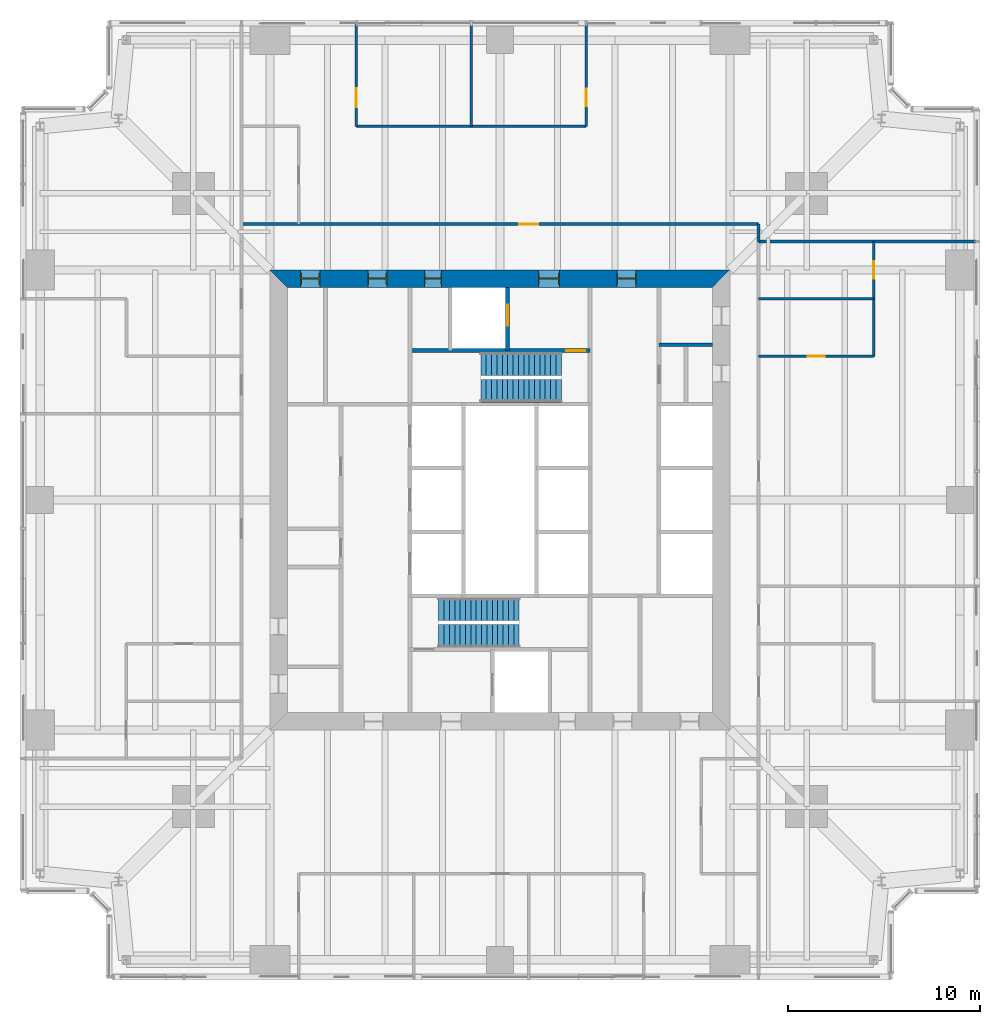
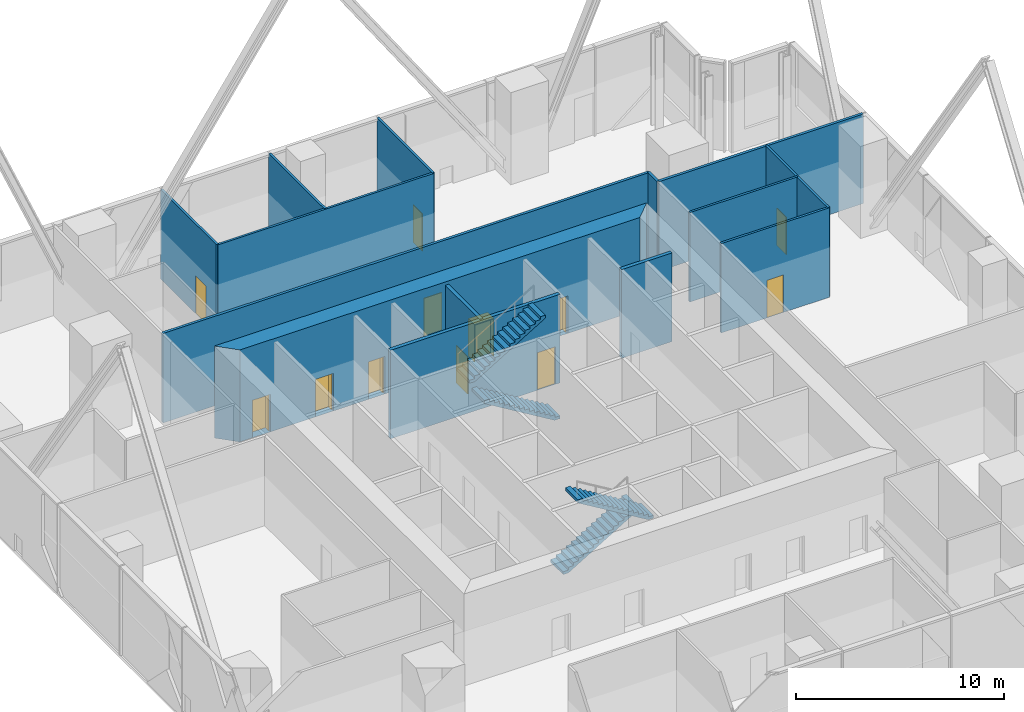
# One storey, part 11 of 13: 14 walls, 12 doors, 4 stair flights, 12 openings, 2 elements without a shape of their own.
"""IFC4 building model written with IfcOpenShell, lengths in metres."""

from ifc_helpers import new_model, si_unit, direction, frame, frame_2d, origin, place, context, subcontext, project, spatial, polyline, rectangle, outline, extrude, material, layer, layer_set, type_object, element, fill, aggregate, save


model = new_model("IFC4")

# Units and contexts
model_context = context("Model", 3, precision=1e-05, world=origin(), true_north=direction((0.0, 1.0)))
body_context = subcontext(model_context, "Body", "Model", "MODEL_VIEW")
ifc_project = project(units=[si_unit("LENGTHUNIT", "METRE"), si_unit("AREAUNIT", "SQUARE_METRE"), si_unit("VOLUMEUNIT", "CUBIC_METRE"), si_unit("PLANEANGLEUNIT", "RADIAN"), si_unit("MASSUNIT", "GRAM", prefix="KILO")], contexts=[model_context])

# Site, building, storey
site_placement = place(None, origin())
site = spatial("IfcSite", under=ifc_project, at=site_placement, CompositionType="ELEMENT")
building_placement = place(site_placement, origin())
building = spatial("IfcBuilding", under=site, at=building_placement, Name="Fenwick Lantern Interchange", CompositionType="ELEMENT")
storey_placement = place(building_placement, frame((0.0, 0.0, 97.0)))
storey = spatial("IfcBuildingStorey", under=building, at=storey_placement, Name="L22", CompositionType="ELEMENT", Elevation=97.0)

# Wall, opening, door
ifc_material_1 = material(Name="Concrete masonry ASTM C90 Grade N", Category="masonry")
ifc_layer_1 = layer(ifc_material_1, 0.199951171875)
ifc_layer_set_1 = layer_set([ifc_layer_1], Name="Concrete masonry ASTM C90 Grade N")
wall_type_1 = type_object("IfcWallType", Name="CORE PARTITION 200", PredefinedType="PARTITIONING", material=ifc_layer_set_1)
wall_1_placement = place(storey_placement, frame((25.39990234375, 36.10009765625, 0.0), z_axis=(0.0, 0.0, 1.0), x_axis=(0.0, -1.0, 0.0)))
wall_1 = element("IfcWall", 1, at=wall_1_placement, inside=storey, type_object=wall_type_1, Name="L22/W/COREN/h1", PredefinedType="PARTITIONING", context=body_context, shape_type="SweptSolid", body=[
    extrude(rectangle(XDim=3.300048828125, YDim=0.199951171875, at=frame_2d((1.64990234375, 0.0))), origin(), (0.0, 0.0, 1.0), 5.199951171875),
])
opening_1_placement = place(wall_1_placement, frame((0.89990234375, 0.0, 0.0)))
opening_1 = element("IfcOpeningElement", 2, at=opening_1_placement, cuts=wall_1, Name="Opening LD-FL2", PredefinedType="OPENING", context=body_context, shape_type="SweptSolid", body=[
    extrude(rectangle(XDim=1.10009765625, YDim=2.199951171875, at=frame_2d((0.550048828125, 1.10009765625))), frame((0.0, 0.10986328125, 0.0), z_axis=(0.0, -1.0, 0.0), x_axis=(1.0, 0.0, 0.0)), (0.0, 0.0, 1.0), 0.219970703125),
])
ifc_material_2 = material(Name="Steel door and frame", Category="steel")
door_type_1 = type_object("IfcDoorType", Name="LIFT LANDING DOOR 1100 X 2200", OperationType="DOUBLE_DOOR_SLIDING", PredefinedType="DOOR", material=ifc_material_2)
door_1_placement = place(opening_1_placement, origin())
door_1 = element("IfcDoor", 3, at=door_1_placement, inside=storey, type_object=door_type_1, Name="Lift landing door FL2", OperationType="DOUBLE_DOOR_SLIDING", OverallHeight=2.199951171875, OverallWidth=1.10009765625, PredefinedType="DOOR", context=body_context, shape_type="SweptSolid", body=[
    extrude(rectangle(XDim=1.10009765625, YDim=2.199951171875, at=frame_2d((0.550048828125, 1.10009765625))), frame((0.0, 0.02490234375, 0.0), z_axis=(0.0, -1.0, 0.0), x_axis=(1.0, 0.0, 0.0)), (0.0, 0.0, 1.0), 0.050048828125),
])
fill(opening_1, door_1)

# Wall
wall_2_placement = place(storey_placement, frame((36.10009765625, 33.10009765625, 0.0), z_axis=(0.0, 0.0, 1.0), x_axis=(-1.0, 0.0, 0.0)))
element("IfcWall", 4, at=wall_2_placement, inside=storey, type_object=wall_type_1, Name="L22/W/COREN/p1", PredefinedType="PARTITIONING", context=body_context, shape_type="SweptSolid", body=[
    extrude(rectangle(XDim=2.800048828125, YDim=0.199951171875, at=frame_2d((1.39990234375, 0.0))), origin(), (0.0, 0.0, 1.0), 5.199951171875),
])

# Wall, openings, doors
ifc_material_3 = material(Name="Concrete f'c 70 MPa", Category="concrete")
ifc_layer_2 = layer(ifc_material_3, 0.89990234375)
ifc_layer_set_2 = layer_set([ifc_layer_2], Name="CORE WALL 900")
wall_type_2 = type_object("IfcWallType", Name="CORE WALL 900", PredefinedType="SHEAR", material=ifc_layer_set_2)
wall_3_placement = place(storey_placement, frame((37.0, 36.550048828125, 0.0), z_axis=(0.0, 0.0, 1.0), x_axis=(-1.0, 0.0, 0.0)))
wall_3 = element("IfcWall", 5, at=wall_3_placement, inside=storey, type_object=wall_type_2, Name="L22/CORE/N", PredefinedType="SHEAR", context=body_context, shape_type="SweptSolid", body=[
    extrude(outline(polyline([(0.0, -0.449951171875), (24.0, -0.449951171875), (23.10009765625, 0.449951171875), (0.89990234375, 0.449951171875), (0.0, -0.449951171875)])), origin(), (0.0, 0.0, 1.0), 5.39990234375),
])
opening_2_placement = place(wall_3_placement, frame((4.89990234375, 0.0, 0.0)))
opening_2 = element("IfcOpeningElement", 6, at=opening_2_placement, cuts=wall_3, Name="Opening L22-D011", PredefinedType="OPENING", context=body_context, shape_type="SweptSolid", body=[
    extrude(rectangle(XDim=1.0, YDim=2.199951171875, at=frame_2d((0.5, 1.10009765625))), frame((0.0, 0.4599609375, 0.0), z_axis=(0.0, -1.0, 0.0), x_axis=(1.0, 0.0, 0.0)), (0.0, 0.0, 1.0), 0.919921875),
])
opening_3_placement = place(wall_3_placement, frame((8.89990234375, 0.0, 0.0)))
opening_3 = element("IfcOpeningElement", 7, at=opening_3_placement, cuts=wall_3, Name="Opening L22-D012", PredefinedType="OPENING", context=body_context, shape_type="SweptSolid", body=[
    extrude(rectangle(XDim=1.10009765625, YDim=2.199951171875, at=frame_2d((0.550048828125, 1.10009765625))), frame((0.0, 0.4599609375, 0.0), z_axis=(0.0, -1.0, 0.0), x_axis=(1.0, 0.0, 0.0)), (0.0, 0.0, 1.0), 0.919921875),
])
opening_4_placement = place(wall_3_placement, frame((15.050048828125, 0.0, 0.0)))
opening_4 = element("IfcOpeningElement", 8, at=opening_4_placement, cuts=wall_3, Name="Opening L22-D014", PredefinedType="OPENING", context=body_context, shape_type="SweptSolid", body=[
    extrude(rectangle(XDim=0.89990234375, YDim=2.199951171875, at=frame_2d((0.449951171875, 1.10009765625))), frame((0.0, 0.4599609375, 0.0), z_axis=(0.0, -1.0, 0.0), x_axis=(1.0, 0.0, 0.0)), (0.0, 0.0, 1.0), 0.919921875),
])
opening_5_placement = place(wall_3_placement, frame((17.89990234375, 0.0, 0.0)))
opening_5 = element("IfcOpeningElement", 9, at=opening_5_placement, cuts=wall_3, Name="Opening L22-D015", PredefinedType="OPENING", context=body_context, shape_type="SweptSolid", body=[
    extrude(rectangle(XDim=1.0, YDim=2.199951171875, at=frame_2d((0.5, 1.10009765625))), frame((0.0, 0.4599609375, 0.0), z_axis=(0.0, -1.0, 0.0), x_axis=(1.0, 0.0, 0.0)), (0.0, 0.0, 1.0), 0.919921875),
])
opening_6_placement = place(wall_3_placement, frame((21.39990234375, 0.0, 0.0)))
opening_6 = element("IfcOpeningElement", 10, at=opening_6_placement, cuts=wall_3, Name="Opening L22-D016", PredefinedType="OPENING", context=body_context, shape_type="SweptSolid", body=[
    extrude(rectangle(XDim=1.0, YDim=2.199951171875, at=frame_2d((0.5, 1.10009765625))), frame((0.0, 0.4599609375, 0.0), z_axis=(0.0, -1.0, 0.0), x_axis=(1.0, 0.0, 0.0)), (0.0, 0.0, 1.0), 0.919921875),
])
door_type_2 = type_object("IfcDoorType", Name="CORE LOBBY DOOR 1000 X 2200", OperationType="SINGLE_SWING_LEFT", PredefinedType="DOOR", material=ifc_material_2)
door_2_placement = place(opening_2_placement, origin())
door_2 = element("IfcDoor", 11, at=door_2_placement, inside=storey, type_object=door_type_2, Name="Core lobby door", OperationType="SINGLE_SWING_LEFT", OverallHeight=2.199951171875, OverallWidth=1.0, PredefinedType="DOOR", context=body_context, shape_type="SweptSolid", body=[
    extrude(rectangle(XDim=1.0, YDim=2.199951171875, at=frame_2d((0.5, 1.10009765625))), frame((0.0, 0.02490234375, 0.0), z_axis=(0.0, -1.0, 0.0), x_axis=(1.0, 0.0, 0.0)), (0.0, 0.0, 1.0), 0.050048828125),
    extrude(outline(polyline([(0.0, 0.0), (0.0400390625, 0.0), (0.0400390625, 2.159912109375), (0.9599609375, 2.159912109375), (0.9599609375, 0.0), (1.0, 0.0), (1.0, 2.199951171875), (0.0, 2.199951171875), (0.0, 0.0)])), frame((0.0, 0.300048828125, 0.0), z_axis=(0.0, -1.0, 0.0), x_axis=(1.0, 0.0, 0.0)), (0.0, 0.0, 1.0), 0.60009765625),
])
fill(opening_2, door_2)
door_type_3 = type_object("IfcDoorType", Name="FIRE LOBBY DOOR 1100 X 2200", OperationType="SINGLE_SWING_LEFT", PredefinedType="DOOR", material=ifc_material_2)
door_3_placement = place(opening_3_placement, origin())
door_3 = element("IfcDoor", 12, at=door_3_placement, inside=storey, type_object=door_type_3, Name="Fire lobby door", OperationType="SINGLE_SWING_LEFT", OverallHeight=2.199951171875, OverallWidth=1.10009765625, PredefinedType="DOOR", context=body_context, shape_type="SweptSolid", body=[
    extrude(rectangle(XDim=1.10009765625, YDim=2.199951171875, at=frame_2d((0.550048828125, 1.10009765625))), frame((0.0, 0.02490234375, 0.0), z_axis=(0.0, -1.0, 0.0), x_axis=(1.0, 0.0, 0.0)), (0.0, 0.0, 1.0), 0.050048828125),
    extrude(outline(polyline([(0.0, 0.0), (0.0400390625, 0.0), (0.0400390625, 2.159912109375), (1.06005859375, 2.159912109375), (1.06005859375, 0.0), (1.10009765625, 0.0), (1.10009765625, 2.199951171875), (0.0, 2.199951171875), (0.0, 0.0)])), frame((0.0, 0.300048828125, 0.0), z_axis=(0.0, -1.0, 0.0), x_axis=(1.0, 0.0, 0.0)), (0.0, 0.0, 1.0), 0.60009765625),
])
fill(opening_3, door_3)
door_type_4 = type_object("IfcDoorType", Name="SERVICE DOOR 900 X 2200", OperationType="SINGLE_SWING_LEFT", PredefinedType="DOOR", material=ifc_material_2)
door_4_placement = place(opening_4_placement, origin())
door_4 = element("IfcDoor", 13, at=door_4_placement, inside=storey, type_object=door_type_4, Name="Service door", OperationType="SINGLE_SWING_LEFT", OverallHeight=2.199951171875, OverallWidth=0.89990234375, PredefinedType="DOOR", context=body_context, shape_type="SweptSolid", body=[
    extrude(rectangle(XDim=0.89990234375, YDim=2.199951171875, at=frame_2d((0.449951171875, 1.10009765625))), frame((0.0, 0.02490234375, 0.0), z_axis=(0.0, -1.0, 0.0), x_axis=(1.0, 0.0, 0.0)), (0.0, 0.0, 1.0), 0.050048828125),
    extrude(outline(polyline([(0.0, 0.0), (0.0400390625, 0.0), (0.0400390625, 2.159912109375), (0.85986328125, 2.159912109375), (0.85986328125, 0.0), (0.89990234375, 0.0), (0.89990234375, 2.199951171875), (0.0, 2.199951171875), (0.0, 0.0)])), frame((0.0, 0.300048828125, 0.0), z_axis=(0.0, -1.0, 0.0), x_axis=(1.0, 0.0, 0.0)), (0.0, 0.0, 1.0), 0.60009765625),
])
fill(opening_4, door_4)
ifc_material_4 = material(Name="Hardwood door and steel frame", Category="steel")
door_type_5 = type_object("IfcDoorType", Name="WC DOOR 1000 X 2200", OperationType="SINGLE_SWING_LEFT", PredefinedType="DOOR", material=ifc_material_4)
door_5_placement = place(opening_5_placement, origin())
door_5 = element("IfcDoor", 14, at=door_5_placement, inside=storey, type_object=door_type_5, Name="Wc door", OperationType="SINGLE_SWING_LEFT", OverallHeight=2.199951171875, OverallWidth=1.0, PredefinedType="DOOR", context=body_context, shape_type="SweptSolid", body=[
    extrude(rectangle(XDim=1.0, YDim=2.199951171875, at=frame_2d((0.5, 1.10009765625))), frame((0.0, 0.02490234375, 0.0), z_axis=(0.0, -1.0, 0.0), x_axis=(1.0, 0.0, 0.0)), (0.0, 0.0, 1.0), 0.050048828125),
    extrude(outline(polyline([(0.0, 0.0), (0.0400390625, 0.0), (0.0400390625, 2.159912109375), (0.9599609375, 2.159912109375), (0.9599609375, 0.0), (1.0, 0.0), (1.0, 2.199951171875), (0.0, 2.199951171875), (0.0, 0.0)])), frame((0.0, 0.300048828125, 0.0), z_axis=(0.0, -1.0, 0.0), x_axis=(1.0, 0.0, 0.0)), (0.0, 0.0, 1.0), 0.60009765625),
])
fill(opening_5, door_5)
door_6_placement = place(opening_6_placement, origin())
door_6 = element("IfcDoor", 15, at=door_6_placement, inside=storey, type_object=door_type_5, Name="Wc door", OperationType="SINGLE_SWING_LEFT", OverallHeight=2.199951171875, OverallWidth=1.0, PredefinedType="DOOR", context=body_context, shape_type="SweptSolid", body=[
    extrude(rectangle(XDim=1.0, YDim=2.199951171875, at=frame_2d((0.5, 1.10009765625))), frame((0.0, 0.02490234375, 0.0), z_axis=(0.0, -1.0, 0.0), x_axis=(1.0, 0.0, 0.0)), (0.0, 0.0, 1.0), 0.050048828125),
    extrude(outline(polyline([(0.0, 0.0), (0.0400390625, 0.0), (0.0400390625, 2.159912109375), (0.9599609375, 2.159912109375), (0.9599609375, 0.0), (1.0, 0.0), (1.0, 2.199951171875), (0.0, 2.199951171875), (0.0, 0.0)])), frame((0.0, 0.300048828125, 0.0), z_axis=(0.0, -1.0, 0.0), x_axis=(1.0, 0.0, 0.0)), (0.0, 0.0, 1.0), 0.60009765625),
])
fill(opening_6, door_6)

# Wall
ifc_material_5 = material(Name="Gypsum board on steel studs, 1 hour", Category="steel")
ifc_layer_3 = layer(ifc_material_5, 0.14990234375)
ifc_layer_set_3 = layer_set([ifc_layer_3], Name="CORRIDOR WALL 150")
wall_type_3 = type_object("IfcWallType", Name="CORRIDOR WALL 150", PredefinedType="PARTITIONING", material=ifc_layer_set_3)
wall_4_placement = place(storey_placement, frame((38.5, 38.5, 0.0), z_axis=(0.0, 0.0, 1.0), x_axis=(0.0, 1.0, 0.0)))
element("IfcWall", 16, at=wall_4_placement, inside=storey, type_object=wall_type_3, Name="L22/W/OFF/N/CWJ", PredefinedType="PARTITIONING", context=body_context, shape_type="SweptSolid", body=[
    extrude(rectangle(XDim=0.89990234375, YDim=0.14990234375, at=frame_2d((0.449951171875, 0.0))), origin(), (0.0, 0.0, 1.0), 5.25),
])

# Wall, opening, door
wall_5_placement = place(storey_placement, frame((38.5, 39.39990234375, 0.0), z_axis=(0.0, 0.0, 1.0), x_axis=(-1.0, 0.0, 0.0)))
wall_5 = element("IfcWall", 17, at=wall_5_placement, inside=storey, type_object=wall_type_3, Name="L22/W/OFF/N/CW2", PredefinedType="PARTITIONING", context=body_context, shape_type="SweptSolid", body=[
    extrude(rectangle(XDim=27.0, YDim=0.14990234375, at=frame_2d((13.5, 0.0))), origin(), (0.0, 0.0, 1.0), 5.25),
])
opening_7_placement = place(wall_5_placement, frame((11.5, 0.0, 0.0)))
opening_7 = element("IfcOpeningElement", 18, at=opening_7_placement, cuts=wall_5, Name="Opening L22-D029", PredefinedType="OPENING", context=body_context, shape_type="SweptSolid", body=[
    extrude(rectangle(XDim=1.0, YDim=2.199951171875, at=frame_2d((0.5, 1.10009765625))), frame((0.0, 0.0849609375, 0.0), z_axis=(0.0, -1.0, 0.0), x_axis=(1.0, 0.0, 0.0)), (0.0, 0.0, 1.0), 0.169921875),
])
door_type_6 = type_object("IfcDoorType", Name="SUITE ENTRANCE DOOR 1000 X 2200", OperationType="SINGLE_SWING_LEFT", PredefinedType="DOOR", material=ifc_material_2)
door_7_placement = place(opening_7_placement, frame((1.0, 0.0, 0.0), z_axis=(0.0, 0.0, 1.0), x_axis=(-1.0, 0.0, 0.0)))
door_7 = element("IfcDoor", 19, at=door_7_placement, inside=storey, type_object=door_type_6, Name="Suite entrance door", OperationType="SINGLE_SWING_LEFT", OverallHeight=2.199951171875, OverallWidth=1.0, PredefinedType="DOOR", context=body_context, shape_type="SweptSolid", body=[
    extrude(rectangle(XDim=1.0, YDim=2.199951171875, at=frame_2d((0.5, 1.10009765625))), frame((0.0, 0.02490234375, 0.0), z_axis=(0.0, -1.0, 0.0), x_axis=(1.0, 0.0, 0.0)), (0.0, 0.0, 1.0), 0.050048828125),
])
fill(opening_7, door_7)

ifc_material_6 = material(Name="Gypsum board on steel studs, acoustic", Category="steel")
ifc_layer_4 = layer(ifc_material_6, 0.125)
ifc_layer_set_4 = layer_set([ifc_layer_4], Name="OFFICE PARTITION 125")
wall_type_4 = type_object("IfcWallType", Name="OFFICE PARTITION 125", PredefinedType="PARTITIONING", material=ifc_layer_set_4)
wall_6_placement = place(storey_placement, frame((44.5, 32.5, 0.0), z_axis=(0.0, 0.0, 1.0), x_axis=(-1.0, 0.0, 0.0)))
wall_6 = element("IfcWall", 20, at=wall_6_placement, inside=storey, type_object=wall_type_4, Name="L22/W/OFF/E/X325-1", PredefinedType="PARTITIONING", context=body_context, shape_type="SweptSolid", body=[
    extrude(rectangle(XDim=6.0, YDim=0.125, at=frame_2d((3.0, 0.0))), origin(), (0.0, 0.0, 1.0), 5.25),
])
opening_8_placement = place(wall_6_placement, frame((2.550048828125, 0.0, 0.0)))
opening_8 = element("IfcOpeningElement", 21, at=opening_8_placement, cuts=wall_6, Name="Opening L22-D027", PredefinedType="OPENING", context=body_context, shape_type="SweptSolid", body=[
    extrude(rectangle(XDim=0.89990234375, YDim=2.199951171875, at=frame_2d((0.449951171875, 1.10009765625))), frame((0.0, 0.072509765625, 0.0), z_axis=(0.0, -1.0, 0.0), x_axis=(1.0, 0.0, 0.0)), (0.0, 0.0, 1.0), 0.14501953125),
])
door_type_7 = type_object("IfcDoorType", Name="OFFICE DOOR 900 X 2200", OperationType="SINGLE_SWING_LEFT", PredefinedType="DOOR", material=ifc_material_4)
door_8_placement = place(opening_8_placement, frame((0.89990234375, 0.0, 0.0), z_axis=(0.0, 0.0, 1.0), x_axis=(-1.0, 0.0, 0.0)))
door_8 = element("IfcDoor", 22, at=door_8_placement, inside=storey, type_object=door_type_7, Name="Office door", OperationType="SINGLE_SWING_RIGHT", OverallHeight=2.199951171875, OverallWidth=0.89990234375, PredefinedType="DOOR", context=body_context, shape_type="SweptSolid", body=[
    extrude(rectangle(XDim=0.89990234375, YDim=2.199951171875, at=frame_2d((0.449951171875, 1.10009765625))), frame((0.0, 0.02490234375, 0.0), z_axis=(0.0, -1.0, 0.0), x_axis=(1.0, 0.0, 0.0)), (0.0, 0.0, 1.0), 0.050048828125),
])
fill(opening_8, door_8)

# Wall
wall_7_placement = place(storey_placement, frame((44.5, 35.5, 0.0), z_axis=(0.0, 0.0, 1.0), x_axis=(-1.0, 0.0, 0.0)))
element("IfcWall", 23, at=wall_7_placement, inside=storey, type_object=wall_type_4, Name="L22/W/OFF/E/X355-1", PredefinedType="PARTITIONING", context=body_context, shape_type="SweptSolid", body=[
    extrude(rectangle(XDim=6.0, YDim=0.125, at=frame_2d((3.0, 0.0))), origin(), (0.0, 0.0, 1.0), 5.25),
])

# Wall, opening, door
wall_8_placement = place(storey_placement, frame((44.5, 32.5, 0.0), z_axis=(0.0, 0.0, 1.0), x_axis=(0.0, 1.0, 0.0)))
wall_8 = element("IfcWall", 24, at=wall_8_placement, inside=storey, type_object=wall_type_4, Name="L22/W/OFF/E/Y55-2", PredefinedType="PARTITIONING", context=body_context, shape_type="SweptSolid", body=[
    extrude(rectangle(XDim=6.0, YDim=0.125, at=frame_2d((3.0, 0.0))), origin(), (0.0, 0.0, 1.0), 5.25),
])
opening_9_placement = place(wall_8_placement, frame((4.050048828125, 0.0, 0.0)))
opening_9 = element("IfcOpeningElement", 25, at=opening_9_placement, cuts=wall_8, Name="Opening L22-D028", PredefinedType="OPENING", context=body_context, shape_type="SweptSolid", body=[
    extrude(rectangle(XDim=0.89990234375, YDim=2.199951171875, at=frame_2d((0.449951171875, 1.10009765625))), frame((0.0, 0.072509765625, 0.0), z_axis=(0.0, -1.0, 0.0), x_axis=(1.0, 0.0, 0.0)), (0.0, 0.0, 1.0), 0.14501953125),
])
door_9_placement = place(opening_9_placement, origin())
door_9 = element("IfcDoor", 26, at=door_9_placement, inside=storey, type_object=door_type_7, Name="Office door", OperationType="SINGLE_SWING_LEFT", OverallHeight=2.199951171875, OverallWidth=0.89990234375, PredefinedType="DOOR", context=body_context, shape_type="SweptSolid", body=[
    extrude(rectangle(XDim=0.89990234375, YDim=2.199951171875, at=frame_2d((0.449951171875, 1.10009765625))), frame((0.0, 0.02490234375, 0.0), z_axis=(0.0, -1.0, 0.0), x_axis=(1.0, 0.0, 0.0)), (0.0, 0.0, 1.0), 0.050048828125),
])
fill(opening_9, door_9)

wall_9_placement = place(storey_placement, frame((29.5, 49.85009765625, 0.0), z_axis=(0.0, 0.0, 1.0), x_axis=(0.0, -1.0, 0.0)))
wall_9 = element("IfcWall", 27, at=wall_9_placement, inside=storey, type_object=wall_type_4, Name="L22/W/OFF/N/X205-1", PredefinedType="PARTITIONING", context=body_context, shape_type="SweptSolid", body=[
    extrude(rectangle(XDim=5.35009765625, YDim=0.125, at=frame_2d((2.675048828125, 0.0))), origin(), (0.0, 0.0, 1.0), 5.25),
])
opening_10_placement = place(wall_9_placement, frame((3.39990234375, 0.0, 0.0)))
opening_10 = element("IfcOpeningElement", 28, at=opening_10_placement, cuts=wall_9, Name="Opening L22-D030", PredefinedType="OPENING", context=body_context, shape_type="SweptSolid", body=[
    extrude(rectangle(XDim=0.89990234375, YDim=2.199951171875, at=frame_2d((0.449951171875, 1.10009765625))), frame((0.0, 0.072509765625, 0.0), z_axis=(0.0, -1.0, 0.0), x_axis=(1.0, 0.0, 0.0)), (0.0, 0.0, 1.0), 0.14501953125),
])
door_10_placement = place(opening_10_placement, frame((0.89990234375, 0.0, 0.0), z_axis=(0.0, 0.0, 1.0), x_axis=(-1.0, 0.0, 0.0)))
door_10 = element("IfcDoor", 29, at=door_10_placement, inside=storey, type_object=door_type_7, Name="Office door", OperationType="SINGLE_SWING_LEFT", OverallHeight=2.199951171875, OverallWidth=0.89990234375, PredefinedType="DOOR", context=body_context, shape_type="SweptSolid", body=[
    extrude(rectangle(XDim=0.89990234375, YDim=2.199951171875, at=frame_2d((0.449951171875, 1.10009765625))), frame((0.0, 0.02490234375, 0.0), z_axis=(0.0, -1.0, 0.0), x_axis=(1.0, 0.0, 0.0)), (0.0, 0.0, 1.0), 0.050048828125),
])
fill(opening_10, door_10)

# Wall
wall_10_placement = place(storey_placement, frame((23.5, 49.85009765625, 0.0), z_axis=(0.0, 0.0, 1.0), x_axis=(0.0, -1.0, 0.0)))
element("IfcWall", 30, at=wall_10_placement, inside=storey, type_object=wall_type_4, Name="L22/W/OFF/N/X265-1", PredefinedType="PARTITIONING", context=body_context, shape_type="SweptSolid", body=[
    extrude(rectangle(XDim=5.35009765625, YDim=0.125, at=frame_2d((2.675048828125, 0.0))), origin(), (0.0, 0.0, 1.0), 5.25),
])

# Wall, opening, door
wall_11_placement = place(storey_placement, frame((17.5, 49.85009765625, 0.0), z_axis=(0.0, 0.0, 1.0), x_axis=(0.0, -1.0, 0.0)))
wall_11 = element("IfcWall", 31, at=wall_11_placement, inside=storey, type_object=wall_type_4, Name="L22/W/OFF/N/X325-1", PredefinedType="PARTITIONING", context=body_context, shape_type="SweptSolid", body=[
    extrude(rectangle(XDim=5.35009765625, YDim=0.125, at=frame_2d((2.675048828125, 0.0))), origin(), (0.0, 0.0, 1.0), 5.25),
])
opening_11_placement = place(wall_11_placement, frame((3.35009765625, 0.0, 0.0)))
opening_11 = element("IfcOpeningElement", 32, at=opening_11_placement, cuts=wall_11, Name="Opening L22-D031", PredefinedType="OPENING", context=body_context, shape_type="SweptSolid", body=[
    extrude(rectangle(XDim=1.0, YDim=2.199951171875, at=frame_2d((0.5, 1.10009765625))), frame((0.0, 0.072509765625, 0.0), z_axis=(0.0, -1.0, 0.0), x_axis=(1.0, 0.0, 0.0)), (0.0, 0.0, 1.0), 0.14501953125),
])
door_type_8 = type_object("IfcDoorType", Name="MEETING ROOM DOOR 1000 X 2200", OperationType="SINGLE_SWING_LEFT", PredefinedType="DOOR", material=ifc_material_4)
door_11_placement = place(opening_11_placement, origin())
door_11 = element("IfcDoor", 33, at=door_11_placement, inside=storey, type_object=door_type_8, Name="Meeting room door", OperationType="SINGLE_SWING_RIGHT", OverallHeight=2.199951171875, OverallWidth=1.0, PredefinedType="DOOR", context=body_context, shape_type="SweptSolid", body=[
    extrude(rectangle(XDim=1.0, YDim=2.199951171875, at=frame_2d((0.5, 1.10009765625))), frame((0.0, 0.02490234375, 0.0), z_axis=(0.0, -1.0, 0.0), x_axis=(1.0, 0.0, 0.0)), (0.0, 0.0, 1.0), 0.050048828125),
])
fill(opening_11, door_11)

# Wall
wall_12_placement = place(storey_placement, frame((29.5, 44.5, 0.0), z_axis=(0.0, 0.0, 1.0), x_axis=(-1.0, 0.0, 0.0)))
element("IfcWall", 34, at=wall_12_placement, inside=storey, type_object=wall_type_4, Name="L22/W/OFF/N/Y55-1", PredefinedType="PARTITIONING", context=body_context, shape_type="SweptSolid", body=[
    extrude(rectangle(XDim=12.0, YDim=0.125, at=frame_2d((6.0, 0.0))), origin(), (0.0, 0.0, 1.0), 5.25),
])

# Wall, opening, door
ifc_material_7 = material(Name="Concrete f'c 45 MPa", Category="concrete")
ifc_layer_5 = layer(ifc_material_7, 0.199951171875)
ifc_layer_set_5 = layer_set([ifc_layer_5], Name="STAIR CORE WALL 200")
wall_type_5 = type_object("IfcWallType", Name="STAIR CORE WALL 200", PredefinedType="SOLIDWALL", material=ifc_layer_set_5)
wall_13_placement = place(storey_placement, frame((29.699951171875, 32.800048828125, 0.0), z_axis=(0.0, 0.0, 1.0), x_axis=(-1.0, 0.0, 0.0)))
wall_13 = element("IfcWall", 35, at=wall_13_placement, inside=storey, type_object=wall_type_5, Name="L22/W/COREN/g1", PredefinedType="SOLIDWALL", context=body_context, shape_type="SweptSolid", body=[
    extrude(rectangle(XDim=9.39990234375, YDim=0.199951171875, at=frame_2d((4.699951171875, 0.0))), origin(), (0.0, 0.0, 1.0), 5.199951171875),
])
opening_12_placement = place(wall_13_placement, frame((0.25, 0.0, 0.0)))
opening_12 = element("IfcOpeningElement", 36, at=opening_12_placement, cuts=wall_13, Name="Opening L22-D013", PredefinedType="OPENING", context=body_context, shape_type="SweptSolid", body=[
    extrude(rectangle(XDim=1.0, YDim=2.199951171875, at=frame_2d((0.5, 1.10009765625))), frame((0.0, 0.10986328125, 0.0), z_axis=(0.0, -1.0, 0.0), x_axis=(1.0, 0.0, 0.0)), (0.0, 0.0, 1.0), 0.219970703125),
])
door_type_9 = type_object("IfcDoorType", Name="STAIR DOOR 1000 X 2200", OperationType="SINGLE_SWING_LEFT", PredefinedType="DOOR", material=ifc_material_2)
door_12_placement = place(opening_12_placement, origin())
door_12 = element("IfcDoor", 37, at=door_12_placement, inside=storey, type_object=door_type_9, Name="Stair door", OperationType="SINGLE_SWING_LEFT", OverallHeight=2.199951171875, OverallWidth=1.0, PredefinedType="DOOR", context=body_context, shape_type="SweptSolid", body=[
    extrude(rectangle(XDim=1.0, YDim=2.199951171875, at=frame_2d((0.5, 1.10009765625))), frame((0.0, 0.02490234375, 0.0), z_axis=(0.0, -1.0, 0.0), x_axis=(1.0, 0.0, 0.0)), (0.0, 0.0, 1.0), 0.050048828125),
])
fill(opening_12, door_12)

# Wall
ifc_material_8 = material(Name="Gypsum board on steel studs, 1 hour acoustic", Category="steel")
ifc_layer_6 = layer(ifc_material_8, 0.14990234375)
ifc_layer_set_6 = layer_set([ifc_layer_6], Name="TENANT WALL 150")
wall_type_6 = type_object("IfcWallType", Name="TENANT WALL 150", PredefinedType="PARTITIONING", material=ifc_layer_set_6)
wall_14_placement = place(storey_placement, frame((49.85009765625, 38.5, 0.0), z_axis=(0.0, 0.0, 1.0), x_axis=(-1.0, 0.0, 0.0)))
element("IfcWall", 38, at=wall_14_placement, inside=storey, type_object=wall_type_6, Name="L22/W/OFF/N/BACK", PredefinedType="PARTITIONING", context=body_context, shape_type="SweptSolid", body=[
    extrude(rectangle(XDim=11.35009765625, YDim=0.14990234375, at=frame_2d((5.675048828125, 0.0))), origin(), (0.0, 0.0, 1.0), 5.25),
])

# Stair, stair flights
ifc_material_9 = material(Name="Precast concrete f'c 35 MPa", Category="concrete")
stair_type = type_object("IfcStairType", Name="EXIT STAIR 1200", PredefinedType="HALF_TURN_STAIR", material=ifc_material_9)
stair_1_placement = place(storey_placement, origin())
stair_1 = element("IfcStair", 39, at=stair_1_placement, inside=storey, type_object=stair_type, Name="Exit stair ST1", PredefinedType="HALF_TURN_STAIR")
stair_flight_type = type_object("IfcStairFlightType", Name="STAIR FLIGHT 1200", PredefinedType="STRAIGHT", material=ifc_material_9)
stair_flight_1_placement = place(storey_placement, frame((21.800048828125, 19.300048828125, 0.0), z_axis=(0.0, 0.0, 1.0), x_axis=(1.0, 0.0, 0.0)))
stair_flight_1 = element("IfcStairFlight", 40, at=stair_flight_1_placement, type_object=stair_flight_type, Name="ST1 flight 1", NumberOfRisers=16, NumberOfTreads=15, PredefinedType="STRAIGHT", RiserHeight=0.16875, TreadLength=0.28, context=body_context, shape_type="SweptSolid", body=[
    extrude(outline(polyline([(0.0, 0.0), (0.0, 0.168701171875), (0.280029296875, 0.168701171875), (0.280029296875, 0.33740234375), (0.56005859375, 0.33740234375), (0.56005859375, 0.50634765625), (0.840087890625, 0.50634765625), (0.840087890625, 0.675048828125), (1.1201171875, 0.675048828125), (1.1201171875, 0.84375), (1.39990234375, 0.84375), (1.39990234375, 1.012451171875), (1.679931640625, 1.012451171875), (1.679931640625, 1.18115234375), (1.9599609375, 1.18115234375), (1.9599609375, 1.35009765625), (2.239990234375, 1.35009765625), (2.239990234375, 1.518798828125), (2.52001953125, 1.518798828125), (2.52001953125, 1.6875), (2.800048828125, 1.6875), (2.800048828125, 1.856201171875), (3.080078125, 1.856201171875), (3.080078125, 2.02490234375), (3.360107421875, 2.02490234375), (3.360107421875, 2.19384765625), (3.639892578125, 2.19384765625), (3.639892578125, 2.362548828125), (3.919921875, 2.362548828125), (3.919921875, 2.53125), (4.199951171875, 2.53125), (4.199951171875, 2.699951171875), (4.199951171875, 2.356201171875), (0.29052734375, 0.0), (0.0, 0.0)])), frame((0.0, 0.60009765625, 0.0), z_axis=(0.0, -1.0, 0.0), x_axis=(1.0, 0.0, 0.0)), (0.0, 0.0, 1.0), 1.199951171875),
])
stair_flight_2_placement = place(storey_placement, frame((26.0, 17.89990234375, 2.699951171875), z_axis=(0.0, 0.0, 1.0), x_axis=(-1.0, 0.0, 0.0)))
stair_flight_2 = element("IfcStairFlight", 41, at=stair_flight_2_placement, type_object=stair_flight_type, Name="ST1 flight 2", NumberOfRisers=16, NumberOfTreads=15, PredefinedType="STRAIGHT", RiserHeight=0.16875, TreadLength=0.28, context=body_context, shape_type="SweptSolid", body=[
    extrude(outline(polyline([(0.0, 0.0), (0.0, 0.168701171875), (0.280029296875, 0.168701171875), (0.280029296875, 0.33740234375), (0.56005859375, 0.33740234375), (0.56005859375, 0.50634765625), (0.840087890625, 0.50634765625), (0.840087890625, 0.675048828125), (1.1201171875, 0.675048828125), (1.1201171875, 0.84375), (1.39990234375, 0.84375), (1.39990234375, 1.012451171875), (1.679931640625, 1.012451171875), (1.679931640625, 1.18115234375), (1.9599609375, 1.18115234375), (1.9599609375, 1.35009765625), (2.239990234375, 1.35009765625), (2.239990234375, 1.518798828125), (2.52001953125, 1.518798828125), (2.52001953125, 1.6875), (2.800048828125, 1.6875), (2.800048828125, 1.856201171875), (3.080078125, 1.856201171875), (3.080078125, 2.02490234375), (3.360107421875, 2.02490234375), (3.360107421875, 2.19384765625), (3.639892578125, 2.19384765625), (3.639892578125, 2.362548828125), (3.919921875, 2.362548828125), (3.919921875, 2.53125), (4.199951171875, 2.53125), (4.199951171875, 2.699951171875), (4.199951171875, 2.356201171875), (0.29052734375, 0.0), (0.0, 0.0)])), frame((0.0, 0.60009765625, 0.0), z_axis=(0.0, -1.0, 0.0), x_axis=(1.0, 0.0, 0.0)), (0.0, 0.0, 1.0), 1.199951171875),
])
aggregate(stair_1, [stair_flight_1, stair_flight_2])

stair_2_placement = place(storey_placement, origin())
stair_2 = element("IfcStair", 42, at=stair_2_placement, inside=storey, type_object=stair_type, Name="Exit stair ST2", PredefinedType="HALF_TURN_STAIR")
stair_flight_3_placement = place(storey_placement, frame((28.199951171875, 30.699951171875, 0.0), z_axis=(0.0, 0.0, 1.0), x_axis=(-1.0, 0.0, 0.0)))
stair_flight_3 = element("IfcStairFlight", 43, at=stair_flight_3_placement, type_object=stair_flight_type, Name="ST2 flight 1", NumberOfRisers=16, NumberOfTreads=15, PredefinedType="STRAIGHT", RiserHeight=0.16875, TreadLength=0.28, context=body_context, shape_type="SweptSolid", body=[
    extrude(outline(polyline([(0.0, 0.0), (0.0, 0.168701171875), (0.280029296875, 0.168701171875), (0.280029296875, 0.33740234375), (0.56005859375, 0.33740234375), (0.56005859375, 0.50634765625), (0.840087890625, 0.50634765625), (0.840087890625, 0.675048828125), (1.1201171875, 0.675048828125), (1.1201171875, 0.84375), (1.39990234375, 0.84375), (1.39990234375, 1.012451171875), (1.679931640625, 1.012451171875), (1.679931640625, 1.18115234375), (1.9599609375, 1.18115234375), (1.9599609375, 1.35009765625), (2.239990234375, 1.35009765625), (2.239990234375, 1.518798828125), (2.52001953125, 1.518798828125), (2.52001953125, 1.6875), (2.800048828125, 1.6875), (2.800048828125, 1.856201171875), (3.080078125, 1.856201171875), (3.080078125, 2.02490234375), (3.360107421875, 2.02490234375), (3.360107421875, 2.19384765625), (3.639892578125, 2.19384765625), (3.639892578125, 2.362548828125), (3.919921875, 2.362548828125), (3.919921875, 2.53125), (4.199951171875, 2.53125), (4.199951171875, 2.699951171875), (4.199951171875, 2.356201171875), (0.29052734375, 0.0), (0.0, 0.0)])), frame((0.0, 0.60009765625, 0.0), z_axis=(0.0, -1.0, 0.0), x_axis=(1.0, 0.0, 0.0)), (0.0, 0.0, 1.0), 1.199951171875),
])
stair_flight_4_placement = place(storey_placement, frame((24.0, 32.10009765625, 2.699951171875), z_axis=(0.0, 0.0, 1.0), x_axis=(1.0, 0.0, 0.0)))
stair_flight_4 = element("IfcStairFlight", 44, at=stair_flight_4_placement, type_object=stair_flight_type, Name="ST2 flight 2", NumberOfRisers=16, NumberOfTreads=15, PredefinedType="STRAIGHT", RiserHeight=0.16875, TreadLength=0.28, context=body_context, shape_type="SweptSolid", body=[
    extrude(outline(polyline([(0.0, 0.0), (0.0, 0.168701171875), (0.280029296875, 0.168701171875), (0.280029296875, 0.33740234375), (0.56005859375, 0.33740234375), (0.56005859375, 0.50634765625), (0.840087890625, 0.50634765625), (0.840087890625, 0.675048828125), (1.1201171875, 0.675048828125), (1.1201171875, 0.84375), (1.39990234375, 0.84375), (1.39990234375, 1.012451171875), (1.679931640625, 1.012451171875), (1.679931640625, 1.18115234375), (1.9599609375, 1.18115234375), (1.9599609375, 1.35009765625), (2.239990234375, 1.35009765625), (2.239990234375, 1.518798828125), (2.52001953125, 1.518798828125), (2.52001953125, 1.6875), (2.800048828125, 1.6875), (2.800048828125, 1.856201171875), (3.080078125, 1.856201171875), (3.080078125, 2.02490234375), (3.360107421875, 2.02490234375), (3.360107421875, 2.19384765625), (3.639892578125, 2.19384765625), (3.639892578125, 2.362548828125), (3.919921875, 2.362548828125), (3.919921875, 2.53125), (4.199951171875, 2.53125), (4.199951171875, 2.699951171875), (4.199951171875, 2.356201171875), (0.29052734375, 0.0), (0.0, 0.0)])), frame((0.0, 0.60009765625, 0.0), z_axis=(0.0, -1.0, 0.0), x_axis=(1.0, 0.0, 0.0)), (0.0, 0.0, 1.0), 1.199951171875),
])
aggregate(stair_2, [stair_flight_3, stair_flight_4])

save(model, "model.ifc")
